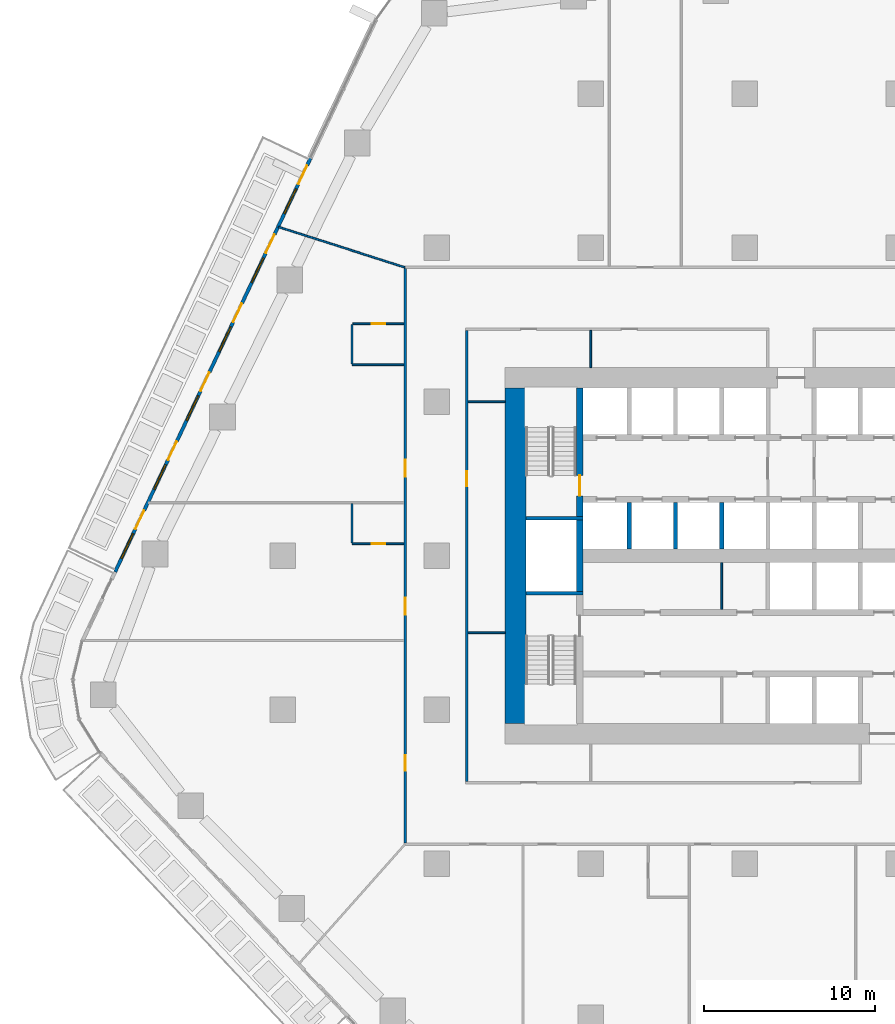
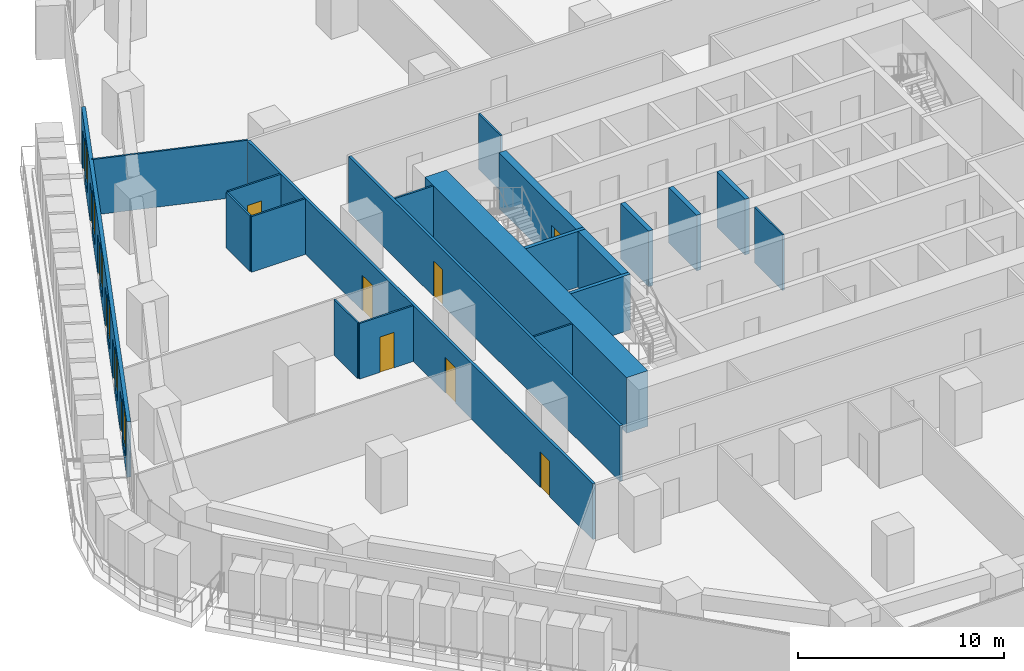
# One storey, part 15 of 25: 21 walls, 13 doors, 6 windows, 19 openings.
"""IFC4 building model written with IfcOpenShell, lengths in metres."""

from ifc_helpers import new_model, si_unit, direction, frame, frame_2d, origin, place, context, subcontext, project, spatial, rectangle, extrude, material, layer, layer_set, type_object, element, fill, save


model = new_model("IFC4")

# Units and contexts
model_context = context("Model", 3, precision=1e-05, world=origin(), true_north=direction((0.0, 1.0)))
body_context = subcontext(model_context, "Body", "Model", "MODEL_VIEW")
ifc_project = project(units=[si_unit("LENGTHUNIT", "METRE"), si_unit("AREAUNIT", "SQUARE_METRE"), si_unit("VOLUMEUNIT", "CUBIC_METRE"), si_unit("PLANEANGLEUNIT", "RADIAN"), si_unit("MASSUNIT", "GRAM", prefix="KILO")], contexts=[model_context])

# Site, building, storey
site_placement = place(None, origin())
site = spatial("IfcSite", under=ifc_project, at=site_placement, CompositionType="ELEMENT")
building_placement = place(site_placement, origin())
building = spatial("IfcBuilding", under=site, at=building_placement, Name="Dongbaek Canopy Tower", CompositionType="ELEMENT")
storey_placement = place(building_placement, frame((0.0, 0.0, 77.300048828125)))
storey = spatial("IfcBuildingStorey", under=building, at=storey_placement, Name="L15", CompositionType="ELEMENT", Elevation=77.300048828125)

# Wall
ifc_material_1 = material(Name="Concrete C60/75", Category="concrete")
ifc_layer_1 = layer(ifc_material_1, 1.199951171875)
ifc_layer_set_1 = layer_set([ifc_layer_1], Name="Core outer wall 1200 Concrete C60/75")
wall_type_1 = type_object("IfcWallType", Name="Core outer wall 1200 Concrete C60/75", PredefinedType="SHEAR", material=ifc_layer_set_1)
wall_1_placement = place(storey_placement, frame((-13.39990234375, -9.800048828125, 0.0), z_axis=(0.0, 0.0, 1.0), x_axis=(0.0, 1.0, 0.0)))
element("IfcWall", 1, at=wall_1_placement, inside=storey, type_object=wall_type_1, Name="Core wall", PredefinedType="SHEAR", context=body_context, shape_type="SweptSolid", body=[
    extrude(rectangle(XDim=19.60009765625, YDim=1.199951171875, at=frame_2d((9.800048828125, 0.0))), origin(), (0.0, 0.0, 1.0), 3.300048828125),
])

# Wall, opening, door
ifc_material_2 = material(Name="Gypsum board partition, steel stud, 2 x 15 mm fire board", Category="steel")
ifc_layer_2 = layer(ifc_material_2, 0.14990234375)
ifc_layer_set_2 = layer_set([ifc_layer_2], Name="Fire-rated partition 150 gypsum board")
wall_type_2 = type_object("IfcWallType", Name="Fire-rated partition 150 gypsum board", PredefinedType="PARTITIONING", material=ifc_layer_set_2)
wall_2_placement = place(storey_placement, frame((-16.25, 13.175048828125, 0.0), z_axis=(0.0, 0.0, 1.0), x_axis=(0.0, -1.0, 0.0)))
wall_2 = element("IfcWall", 2, at=wall_2_placement, inside=storey, type_object=wall_type_2, Name="Corridor partition", PredefinedType="PARTITIONING", context=body_context, shape_type="SweptSolid", body=[
    extrude(rectangle(XDim=26.35009765625, YDim=0.14990234375, at=frame_2d((13.175048828125, 0.0))), origin(), (0.0, 0.0, 1.0), 3.300048828125),
])
opening_1_placement = place(wall_2_placement, frame((8.22509765625, 0.0, 0.0)))
opening_1 = element("IfcOpeningElement", 3, at=opening_1_placement, cuts=wall_2, Name="Opening L15-D021", PredefinedType="OPENING", context=body_context, shape_type="SweptSolid", body=[
    extrude(rectangle(XDim=0.89990234375, YDim=2.10009765625, at=frame_2d((0.449951171875, 1.050048828125))), frame((0.0, 0.0849609375, 0.0), z_axis=(0.0, -1.0, 0.0), x_axis=(1.0, 0.0, 0.0)), (0.0, 0.0, 1.0), 0.169921875),
])
ifc_material_3 = material(Name="Timber veneered door leaf", Category="wood")
door_type_1 = type_object("IfcDoorType", Name="Room door 900 x 2100", OperationType="SINGLE_SWING_LEFT", PredefinedType="DOOR", material=ifc_material_3)
door_1_placement = place(opening_1_placement, origin())
door_1 = element("IfcDoor", 4, at=door_1_placement, inside=storey, type_object=door_type_1, Name="Door L15-D021", OperationType="SINGLE_SWING_LEFT", OverallHeight=2.10009765625, OverallWidth=0.89990234375, PredefinedType="DOOR", context=body_context, shape_type="SweptSolid", body=[
    extrude(rectangle(XDim=0.89990234375, YDim=2.10009765625, at=frame_2d((0.449951171875, 1.050048828125))), frame((0.0, 0.02490234375, 0.0), z_axis=(0.0, -1.0, 0.0), x_axis=(1.0, 0.0, 0.0)), (0.0, 0.0, 1.0), 0.050048828125),
])
fill(opening_1, door_1)

# Wall, openings, doors
wall_3_placement = place(storey_placement, frame((-19.85009765625, -16.77490234375, 0.0), z_axis=(0.0, 0.0, 1.0), x_axis=(0.0, 1.0, 0.0)))
wall_3 = element("IfcWall", 5, at=wall_3_placement, inside=storey, type_object=wall_type_2, Name="Corridor partition", PredefinedType="PARTITIONING", context=body_context, shape_type="SweptSolid", body=[
    extrude(rectangle(XDim=33.5498046875, YDim=0.14990234375, at=frame_2d((16.77490234375, 0.0))), origin(), (0.0, 0.0, 1.0), 3.300048828125),
])
opening_2_placement = place(wall_3_placement, frame((13.33154296875, 0.0, 0.0)))
opening_2 = element("IfcOpeningElement", 6, at=opening_2_placement, cuts=wall_3, Name="Opening L15-D002", PredefinedType="OPENING", context=body_context, shape_type="SweptSolid", body=[
    extrude(rectangle(XDim=1.0, YDim=2.10009765625, at=frame_2d((0.5, 1.050048828125))), frame((0.0, 0.0849609375, 0.0), z_axis=(0.0, -1.0, 0.0), x_axis=(1.0, 0.0, 0.0)), (0.0, 0.0, 1.0), 0.169921875),
])
opening_3_placement = place(wall_3_placement, frame((4.20654296875, 0.0, 0.0)))
opening_3 = element("IfcOpeningElement", 7, at=opening_3_placement, cuts=wall_3, Name="Opening L15-D003", PredefinedType="OPENING", context=body_context, shape_type="SweptSolid", body=[
    extrude(rectangle(XDim=0.89990234375, YDim=2.10009765625, at=frame_2d((0.449951171875, 1.050048828125))), frame((0.0, 0.0849609375, 0.0), z_axis=(0.0, -1.0, 0.0), x_axis=(1.0, 0.0, 0.0)), (0.0, 0.0, 1.0), 0.169921875),
])
opening_4_placement = place(wall_3_placement, frame((21.388916015625, 0.0, 0.0)))
opening_4 = element("IfcOpeningElement", 8, at=opening_4_placement, cuts=wall_3, Name="Opening L15-D013", PredefinedType="OPENING", context=body_context, shape_type="SweptSolid", body=[
    extrude(rectangle(XDim=1.0, YDim=2.10009765625, at=frame_2d((0.5, 1.050048828125))), frame((0.0, 0.0849609375, 0.0), z_axis=(0.0, -1.0, 0.0), x_axis=(1.0, 0.0, 0.0)), (0.0, 0.0, 1.0), 0.169921875),
])
ifc_material_4 = material(Name="Timber veneered door leaf", Category="wood")
door_type_2 = type_object("IfcDoorType", Name="Guest room door 1000 x 2100", OperationType="SINGLE_SWING_LEFT", PredefinedType="DOOR", material=ifc_material_4)
door_2_placement = place(opening_2_placement, origin())
door_2 = element("IfcDoor", 9, at=door_2_placement, inside=storey, type_object=door_type_2, Name="Door L15-D002", OperationType="SINGLE_SWING_RIGHT", OverallHeight=2.10009765625, OverallWidth=1.0, PredefinedType="DOOR", context=body_context, shape_type="SweptSolid", body=[
    extrude(rectangle(XDim=1.0, YDim=2.10009765625, at=frame_2d((0.5, 1.050048828125))), frame((0.0, 0.02490234375, 0.0), z_axis=(0.0, -1.0, 0.0), x_axis=(1.0, 0.0, 0.0)), (0.0, 0.0, 1.0), 0.050048828125),
])
fill(opening_2, door_2)
door_3_placement = place(opening_4_placement, origin())
door_3 = element("IfcDoor", 10, at=door_3_placement, inside=storey, type_object=door_type_2, Name="Door L15-D013", OperationType="SINGLE_SWING_LEFT", OverallHeight=2.10009765625, OverallWidth=1.0, PredefinedType="DOOR", context=body_context, shape_type="SweptSolid", body=[
    extrude(rectangle(XDim=1.0, YDim=2.10009765625, at=frame_2d((0.5, 1.050048828125))), frame((0.0, 0.02490234375, 0.0), z_axis=(0.0, -1.0, 0.0), x_axis=(1.0, 0.0, 0.0)), (0.0, 0.0, 1.0), 0.050048828125),
])
fill(opening_4, door_3)
door_4_placement = place(opening_3_placement, origin())
door_4 = element("IfcDoor", 11, at=door_4_placement, inside=storey, type_object=door_type_1, Name="Door L15-D003", OperationType="SINGLE_SWING_LEFT", OverallHeight=2.10009765625, OverallWidth=0.89990234375, PredefinedType="DOOR", context=body_context, shape_type="SweptSolid", body=[
    extrude(rectangle(XDim=0.89990234375, YDim=2.10009765625, at=frame_2d((0.449951171875, 1.050048828125))), frame((0.0, 0.02490234375, 0.0), z_axis=(0.0, -1.0, 0.0), x_axis=(1.0, 0.0, 0.0)), (0.0, 0.0, 1.0), 0.050048828125),
])
fill(opening_3, door_4)

# Walls
ifc_material_5 = material(Name="Concrete C40/50", Category="concrete")
ifc_layer_3 = layer(ifc_material_5, 0.25)
ifc_layer_set_3 = layer_set([ifc_layer_3], Name="Lift shaft wall 250 Concrete C40/50")
wall_type_3 = type_object("IfcWallType", Name="Lift shaft wall 250 Concrete C40/50", PredefinedType="SOLIDWALL", material=ifc_layer_set_3)
for number, where, z_axis, x_axis, name in (
    (12, (-1.35009765625, 0.39990234375, 0.0), (0.0, 0.0, 1.0), (0.0, 1.0, 0.0), "Lift shaft wall"),
    (13, (-4.050048828125, 0.39990234375, 0.0), (0.0, 0.0, 1.0), (0.0, 1.0, 0.0), "Lift shaft wall"),
    (14, (-6.75, 0.39990234375, 0.0), (0.0, 0.0, 1.0), (0.0, 1.0, 0.0), "Lift shaft wall"),
):
    element("IfcWall", number, at=place(storey_placement, frame(where, z_axis=z_axis, x_axis=x_axis)), inside=storey, type_object=wall_type_3, Name=name, PredefinedType="SOLIDWALL", context=body_context, shape_type="SweptSolid", body=[
        extrude(rectangle(XDim=2.72509765625, YDim=0.25, at=frame_2d((1.362548828125, 0.0))), origin(), (0.0, 0.0, 1.0), 3.300048828125),
    ])
ifc_material_6 = material(Name="Gypsum board partition, steel stud, 2 x 12.5 mm board", Category="steel")
ifc_layer_4 = layer(ifc_material_6, 0.10009765625)
ifc_layer_set_4 = layer_set([ifc_layer_4], Name="Partition 100 gypsum board")
wall_type_4 = type_object("IfcWallType", Name="Partition 100 gypsum board", PredefinedType="PARTITIONING", material=ifc_layer_set_4)
wall_4_placement = place(storey_placement, frame((-16.175048828125, -4.5, 0.0), z_axis=(0.0, 0.0, 1.0), x_axis=(1.0, 0.0, 0.0)))
element("IfcWall", 15, at=wall_4_placement, inside=storey, type_object=wall_type_4, Name="Partition", PredefinedType="PARTITIONING", context=body_context, shape_type="SweptSolid", body=[
    extrude(rectangle(XDim=2.175048828125, YDim=0.10009765625, at=frame_2d((1.08740234375, 0.0))), origin(), (0.0, 0.0, 1.0), 3.300048828125),
])

# Wall, opening, door
wall_5_placement = place(storey_placement, frame((-22.949951171875, 0.697998046875, 0.0), z_axis=(0.0, 0.0, 1.0), x_axis=(1.0, 0.0, 0.0)))
wall_5 = element("IfcWall", 16, at=wall_5_placement, inside=storey, type_object=wall_type_4, Name="Partition", PredefinedType="PARTITIONING", context=body_context, shape_type="SweptSolid", body=[
    extrude(rectangle(XDim=3.02490234375, YDim=0.10009765625, at=frame_2d((1.512451171875, 0.0))), origin(), (0.0, 0.0, 1.0), 3.300048828125),
])
opening_5_placement = place(wall_5_placement, frame((1.14990234375, 0.0, 0.0)))
opening_5 = element("IfcOpeningElement", 17, at=opening_5_placement, cuts=wall_5, Name="Opening L15-D001", PredefinedType="OPENING", context=body_context, shape_type="SweptSolid", body=[
    extrude(rectangle(XDim=0.800048828125, YDim=2.10009765625, at=frame_2d((0.39990234375, 1.050048828125))), frame((0.0, 0.06005859375, 0.0), z_axis=(0.0, -1.0, 0.0), x_axis=(1.0, 0.0, 0.0)), (0.0, 0.0, 1.0), 0.1201171875),
])
ifc_material_7 = material(Name="Timber veneered door leaf", Category="wood")
door_type_3 = type_object("IfcDoorType", Name="En-suite door 800 x 2100", OperationType="SINGLE_SWING_LEFT", PredefinedType="DOOR", material=ifc_material_7)
door_5_placement = place(opening_5_placement, origin())
door_5 = element("IfcDoor", 18, at=door_5_placement, inside=storey, type_object=door_type_3, Name="Door L15-D001", OperationType="SINGLE_SWING_LEFT", OverallHeight=2.10009765625, OverallWidth=0.800048828125, PredefinedType="DOOR", context=body_context, shape_type="SweptSolid", body=[
    extrude(rectangle(XDim=0.800048828125, YDim=2.10009765625, at=frame_2d((0.39990234375, 1.050048828125))), frame((0.0, 0.02490234375, 0.0), z_axis=(0.0, -1.0, 0.0), x_axis=(1.0, 0.0, 0.0)), (0.0, 0.0, 1.0), 0.050048828125),
])
fill(opening_5, door_5)

# Walls
wall_6_placement = place(storey_placement, frame((-16.175048828125, 9.0, 0.0), z_axis=(0.0, 0.0, 1.0), x_axis=(1.0, 0.0, 0.0)))
element("IfcWall", 19, at=wall_6_placement, inside=storey, type_object=wall_type_4, Name="Partition", PredefinedType="PARTITIONING", context=body_context, shape_type="SweptSolid", body=[
    extrude(rectangle(XDim=2.175048828125, YDim=0.10009765625, at=frame_2d((1.08740234375, 0.0))), origin(), (0.0, 0.0, 1.0), 3.300048828125),
])
wall_7_placement = place(storey_placement, frame((-22.949951171875, 11.159912109375, 0.0), z_axis=(0.0, 0.0, 1.0), x_axis=(1.0, 0.0, 0.0)))
element("IfcWall", 20, at=wall_7_placement, inside=storey, type_object=wall_type_4, Name="Partition", PredefinedType="PARTITIONING", context=body_context, shape_type="SweptSolid", body=[
    extrude(rectangle(XDim=3.02490234375, YDim=0.10009765625, at=frame_2d((1.512451171875, 0.0))), origin(), (0.0, 0.0, 1.0), 3.300048828125),
])

# Wall, opening, door
wall_8_placement = place(storey_placement, frame((-19.925048828125, 13.56005859375, 0.0), z_axis=(0.0, 0.0, 1.0), x_axis=(-1.0, 0.0, 0.0)))
wall_8 = element("IfcWall", 21, at=wall_8_placement, inside=storey, type_object=wall_type_4, Name="Partition", PredefinedType="PARTITIONING", context=body_context, shape_type="SweptSolid", body=[
    extrude(rectangle(XDim=2.974853515625, YDim=0.10009765625, at=frame_2d((1.4873046875, 0.0))), origin(), (0.0, 0.0, 1.0), 3.300048828125),
])
opening_6_placement = place(wall_8_placement, frame((1.074951171875, 0.0, 0.0)))
opening_6 = element("IfcOpeningElement", 22, at=opening_6_placement, cuts=wall_8, Name="Opening L15-D012", PredefinedType="OPENING", context=body_context, shape_type="SweptSolid", body=[
    extrude(rectangle(XDim=0.800048828125, YDim=2.10009765625, at=frame_2d((0.39990234375, 1.050048828125))), frame((0.0, 0.06005859375, 0.0), z_axis=(0.0, -1.0, 0.0), x_axis=(1.0, 0.0, 0.0)), (0.0, 0.0, 1.0), 0.1201171875),
])
door_6_placement = place(opening_6_placement, origin())
door_6 = element("IfcDoor", 23, at=door_6_placement, inside=storey, type_object=door_type_3, Name="Door L15-D012", OperationType="SINGLE_SWING_RIGHT", OverallHeight=2.10009765625, OverallWidth=0.800048828125, PredefinedType="DOOR", context=body_context, shape_type="SweptSolid", body=[
    extrude(rectangle(XDim=0.800048828125, YDim=2.10009765625, at=frame_2d((0.39990234375, 1.050048828125))), frame((0.0, 0.02490234375, 0.0), z_axis=(0.0, -1.0, 0.0), x_axis=(1.0, 0.0, 0.0)), (0.0, 0.0, 1.0), 0.050048828125),
])
fill(opening_6, door_6)

# Walls
wall_9_placement = place(storey_placement, frame((-9.0, 11.0, 0.0), z_axis=(0.0, 0.0, 1.0), x_axis=(0.0, 1.0, 0.0)))
element("IfcWall", 24, at=wall_9_placement, inside=storey, type_object=wall_type_4, Name="Partition", PredefinedType="PARTITIONING", context=body_context, shape_type="SweptSolid", body=[
    extrude(rectangle(XDim=2.175048828125, YDim=0.10009765625, at=frame_2d((1.08740234375, 0.0))), origin(), (0.0, 0.0, 1.0), 3.300048828125),
])
wall_10_placement = place(storey_placement, frame((-22.949951171875, 0.748291015625, 0.0), z_axis=(0.0, 0.0, 1.0), x_axis=(0.0, 1.0, 0.0)))
element("IfcWall", 25, at=wall_10_placement, inside=storey, type_object=wall_type_4, Name="Partition", PredefinedType="PARTITIONING", context=body_context, shape_type="SweptSolid", body=[
    extrude(rectangle(XDim=2.2998046875, YDim=0.10009765625, at=frame_2d((1.14990234375, 0.0))), origin(), (0.0, 0.0, 1.0), 3.300048828125),
])
wall_11_placement = place(storey_placement, frame((-22.949951171875, 11.210205078125, 0.0), z_axis=(0.0, 0.0, 1.0), x_axis=(0.0, 1.0, 0.0)))
element("IfcWall", 26, at=wall_11_placement, inside=storey, type_object=wall_type_4, Name="Partition", PredefinedType="PARTITIONING", context=body_context, shape_type="SweptSolid", body=[
    extrude(rectangle(XDim=2.300048828125, YDim=0.10009765625, at=frame_2d((1.14990234375, 0.0))), origin(), (0.0, 0.0, 1.0), 3.300048828125),
])
wall_12_placement = place(storey_placement, frame((-27.25341796875, 19.2158203125, 0.0), z_axis=(0.0, 0.0, 1.0), x_axis=(0.952548805098, -0.304385896366, 0.0)))
element("IfcWall", 27, at=wall_12_placement, inside=storey, type_object=wall_type_4, Name="Partition", PredefinedType="PARTITIONING", context=body_context, shape_type="SweptSolid", body=[
    extrude(rectangle(XDim=7.772216796875, YDim=0.10009765625, at=frame_2d((3.88623046875, 0.0))), origin(), (0.0, 0.0, 1.0), 3.300048828125),
])
wall_13_placement = place(storey_placement, frame((-1.35009765625, -3.125, 0.0), z_axis=(0.0, 0.0, 1.0), x_axis=(0.0, 1.0, 0.0)))
element("IfcWall", 28, at=wall_13_placement, inside=storey, type_object=wall_type_4, Name="Core partition", PredefinedType="PARTITIONING", context=body_context, shape_type="SweptSolid", body=[
    extrude(rectangle(XDim=2.72509765625, YDim=0.10009765625, at=frame_2d((1.362548828125, 0.0))), origin(), (0.0, 0.0, 1.0), 3.300048828125),
])
ifc_material_8 = material(Name="Concrete C60/75", Category="concrete")
ifc_layer_5 = layer(ifc_material_8, 0.199951171875)
ifc_layer_set_5 = layer_set([ifc_layer_5], Name="Riser wall 200 Concrete C60/75")
wall_type_5 = type_object("IfcWallType", Name="Riser wall 200 Concrete C60/75", PredefinedType="SHEAR", material=ifc_layer_set_5)
for number, where, z_axis, x_axis, name in (
    (29, (-9.449951171875, 2.199951171875, 0.0), (0.0, 0.0, 1.0), (-1.0, 0.0, 0.0), "Riser wall"),
    (30, (-9.449951171875, -2.199951171875, 0.0), (0.0, 0.0, 1.0), (-1.0, 0.0, 0.0), "Riser wall"),
):
    element("IfcWall", number, at=place(storey_placement, frame(where, z_axis=z_axis, x_axis=x_axis)), inside=storey, type_object=wall_type_5, Name=name, PredefinedType="SHEAR", context=body_context, shape_type="SweptSolid", body=[
        extrude(rectangle(XDim=3.35009765625, YDim=0.199951171875, at=frame_2d((1.675048828125, 0.0))), origin(), (0.0, 0.0, 1.0), 3.300048828125),
    ])
ifc_material_9 = material(Name="Concrete C60/75", Category="concrete")
ifc_layer_6 = layer(ifc_material_9, 0.39990234375)
ifc_layer_set_6 = layer_set([ifc_layer_6], Name="Stair wall 400 Concrete C60/75")
wall_type_6 = type_object("IfcWallType", Name="Stair wall 400 Concrete C60/75", PredefinedType="SHEAR", material=ifc_layer_set_6)
wall_14_placement = place(storey_placement, frame((-9.64990234375, -2.10009765625, 0.0), z_axis=(0.0, 0.0, 1.0), x_axis=(0.0, 1.0, 0.0)))
element("IfcWall", 31, at=wall_14_placement, inside=storey, type_object=wall_type_6, Name="Stair wall", PredefinedType="SHEAR", context=body_context, shape_type="SweptSolid", body=[
    extrude(rectangle(XDim=4.2001953125, YDim=0.39990234375, at=frame_2d((2.10009765625, 0.0))), origin(), (0.0, 0.0, 1.0), 3.300048828125),
])

# Wall, opening, door
wall_15_placement = place(storey_placement, frame((-9.64990234375, 2.300048828125, 0.0), z_axis=(0.0, 0.0, 1.0), x_axis=(0.0, 1.0, 0.0)))
wall_15 = element("IfcWall", 32, at=wall_15_placement, inside=storey, type_object=wall_type_6, Name="Stair wall", PredefinedType="SHEAR", context=body_context, shape_type="SweptSolid", body=[
    extrude(rectangle(XDim=7.5, YDim=0.39990234375, at=frame_2d((3.75, 0.0))), origin(), (0.0, 0.0, 1.0), 3.300048828125),
])
opening_7_placement = place(wall_15_placement, frame((1.199951171875, 0.0, 0.0)))
opening_7 = element("IfcOpeningElement", 33, at=opening_7_placement, cuts=wall_15, Name="Opening L15-D046", PredefinedType="OPENING", context=body_context, shape_type="SweptSolid", body=[
    extrude(rectangle(XDim=1.199951171875, YDim=2.10009765625, at=frame_2d((0.60009765625, 1.050048828125))), frame((0.0, 0.2099609375, 0.0), z_axis=(0.0, -1.0, 0.0), x_axis=(1.0, 0.0, 0.0)), (0.0, 0.0, 1.0), 0.419921875),
])
ifc_material_10 = material(Name="Steel", Category="steel")
door_type_4 = type_object("IfcDoorType", Name="Stair door 1200 x 2100", OperationType="SINGLE_SWING_LEFT", PredefinedType="DOOR", material=ifc_material_10)
door_7_placement = place(opening_7_placement, origin())
door_7 = element("IfcDoor", 34, at=door_7_placement, inside=storey, type_object=door_type_4, Name="Stair C door", OperationType="SINGLE_SWING_RIGHT", OverallHeight=2.10009765625, OverallWidth=1.199951171875, PredefinedType="DOOR", context=body_context, shape_type="SweptSolid", body=[
    extrude(rectangle(XDim=1.199951171875, YDim=2.10009765625, at=frame_2d((0.60009765625, 1.050048828125))), frame((0.0, 0.02490234375, 0.0), z_axis=(0.0, -1.0, 0.0), x_axis=(1.0, 0.0, 0.0)), (0.0, 0.0, 1.0), 0.050048828125),
])
fill(opening_7, door_7)

# Wall, openings, doors, windows
ifc_material_11 = material(Name="Aluminium window wall", Category="aluminium")
ifc_layer_7 = layer(ifc_material_11, 0.199951171875)
ifc_layer_set_7 = layer_set([ifc_layer_7], Name="Window wall 200")
wall_type_7 = type_object("IfcWallType", Name="Window wall 200", PredefinedType="SOLIDWALL", material=ifc_layer_set_7)
wall_16_placement = place(storey_placement, frame((-25.3681640625, 23.253173828125, 0.0), z_axis=(0.0, 0.0, 1.0), x_axis=(-0.427150376431, -0.90418059917, 0.0)))
wall_16 = element("IfcWall", 35, at=wall_16_placement, inside=storey, type_object=wall_type_7, Name="Window wall L15 2", PredefinedType="SOLIDWALL", context=body_context, shape_type="SweptSolid", body=[
    extrude(rectangle(XDim=26.748779296875, YDim=0.199951171875, at=frame_2d((13.37451171875, 0.0))), origin(), (0.0, 0.0, 1.0), 3.300048828125),
])
opening_8_placement = place(wall_16_placement, frame((2.0, 0.0, 0.60009765625)))
opening_8 = element("IfcOpeningElement", 36, at=opening_8_placement, cuts=wall_16, Name="Opening W1", PredefinedType="OPENING", context=body_context, shape_type="SweptSolid", body=[
    extrude(rectangle(XDim=1.60009765625, YDim=2.39990234375, at=frame_2d((0.800048828125, 1.199951171875))), frame((0.0, 0.10986328125, 0.0), z_axis=(0.0, -1.0, 0.0), x_axis=(1.0, 0.0, 0.0)), (0.0, 0.0, 1.0), 0.219970703125),
])
opening_9_placement = place(wall_16_placement, frame((0.5, 0.0, 0.0)))
opening_9 = element("IfcOpeningElement", 37, at=opening_9_placement, cuts=wall_16, Name="Opening L15-B06", PredefinedType="OPENING", context=body_context, shape_type="SweptSolid", body=[
    extrude(rectangle(XDim=1.199951171875, YDim=2.39990234375, at=frame_2d((0.60009765625, 1.199951171875))), frame((0.0, 0.10986328125, 0.0), z_axis=(0.0, -1.0, 0.0), x_axis=(1.0, 0.0, 0.0)), (0.0, 0.0, 1.0), 0.219970703125),
])
opening_10_placement = place(wall_16_placement, frame((6.4580078125, 0.0, 0.60009765625)))
opening_10 = element("IfcOpeningElement", 38, at=opening_10_placement, cuts=wall_16, Name="Opening W1", PredefinedType="OPENING", context=body_context, shape_type="SweptSolid", body=[
    extrude(rectangle(XDim=1.60009765625, YDim=2.39990234375, at=frame_2d((0.800048828125, 1.199951171875))), frame((0.0, 0.10986328125, 0.0), z_axis=(0.0, -1.0, 0.0), x_axis=(1.0, 0.0, 0.0)), (0.0, 0.0, 1.0), 0.219970703125),
])
opening_11_placement = place(wall_16_placement, frame((4.9580078125, 0.0, 0.0)))
opening_11 = element("IfcOpeningElement", 39, at=opening_11_placement, cuts=wall_16, Name="Opening L15-B07", PredefinedType="OPENING", context=body_context, shape_type="SweptSolid", body=[
    extrude(rectangle(XDim=1.199951171875, YDim=2.39990234375, at=frame_2d((0.60009765625, 1.199951171875))), frame((0.0, 0.10986328125, 0.0), z_axis=(0.0, -1.0, 0.0), x_axis=(1.0, 0.0, 0.0)), (0.0, 0.0, 1.0), 0.219970703125),
])
opening_12_placement = place(wall_16_placement, frame((10.916259765625, 0.0, 0.60009765625)))
opening_12 = element("IfcOpeningElement", 40, at=opening_12_placement, cuts=wall_16, Name="Opening W1", PredefinedType="OPENING", context=body_context, shape_type="SweptSolid", body=[
    extrude(rectangle(XDim=1.60009765625, YDim=2.39990234375, at=frame_2d((0.800048828125, 1.199951171875))), frame((0.0, 0.10986328125, 0.0), z_axis=(0.0, -1.0, 0.0), x_axis=(1.0, 0.0, 0.0)), (0.0, 0.0, 1.0), 0.219970703125),
])
opening_13_placement = place(wall_16_placement, frame((9.416259765625, 0.0, 0.0)))
opening_13 = element("IfcOpeningElement", 41, at=opening_13_placement, cuts=wall_16, Name="Opening L15-B08", PredefinedType="OPENING", context=body_context, shape_type="SweptSolid", body=[
    extrude(rectangle(XDim=1.199951171875, YDim=2.39990234375, at=frame_2d((0.60009765625, 1.199951171875))), frame((0.0, 0.10986328125, 0.0), z_axis=(0.0, -1.0, 0.0), x_axis=(1.0, 0.0, 0.0)), (0.0, 0.0, 1.0), 0.219970703125),
])
opening_14_placement = place(wall_16_placement, frame((15.374267578125, 0.0, 0.60009765625)))
opening_14 = element("IfcOpeningElement", 42, at=opening_14_placement, cuts=wall_16, Name="Opening W1", PredefinedType="OPENING", context=body_context, shape_type="SweptSolid", body=[
    extrude(rectangle(XDim=1.60009765625, YDim=2.39990234375, at=frame_2d((0.800048828125, 1.199951171875))), frame((0.0, 0.10986328125, 0.0), z_axis=(0.0, -1.0, 0.0), x_axis=(1.0, 0.0, 0.0)), (0.0, 0.0, 1.0), 0.219970703125),
])
opening_15_placement = place(wall_16_placement, frame((13.874267578125, 0.0, 0.0)))
opening_15 = element("IfcOpeningElement", 43, at=opening_15_placement, cuts=wall_16, Name="Opening L15-B09", PredefinedType="OPENING", context=body_context, shape_type="SweptSolid", body=[
    extrude(rectangle(XDim=1.199951171875, YDim=2.39990234375, at=frame_2d((0.60009765625, 1.199951171875))), frame((0.0, 0.10986328125, 0.0), z_axis=(0.0, -1.0, 0.0), x_axis=(1.0, 0.0, 0.0)), (0.0, 0.0, 1.0), 0.219970703125),
])
opening_16_placement = place(wall_16_placement, frame((19.83251953125, 0.0, 0.60009765625)))
opening_16 = element("IfcOpeningElement", 44, at=opening_16_placement, cuts=wall_16, Name="Opening W1", PredefinedType="OPENING", context=body_context, shape_type="SweptSolid", body=[
    extrude(rectangle(XDim=1.60009765625, YDim=2.39990234375, at=frame_2d((0.800048828125, 1.199951171875))), frame((0.0, 0.10986328125, 0.0), z_axis=(0.0, -1.0, 0.0), x_axis=(1.0, 0.0, 0.0)), (0.0, 0.0, 1.0), 0.219970703125),
])
opening_17_placement = place(wall_16_placement, frame((18.33251953125, 0.0, 0.0)))
opening_17 = element("IfcOpeningElement", 45, at=opening_17_placement, cuts=wall_16, Name="Opening L15-B10", PredefinedType="OPENING", context=body_context, shape_type="SweptSolid", body=[
    extrude(rectangle(XDim=1.199951171875, YDim=2.39990234375, at=frame_2d((0.60009765625, 1.199951171875))), frame((0.0, 0.10986328125, 0.0), z_axis=(0.0, -1.0, 0.0), x_axis=(1.0, 0.0, 0.0)), (0.0, 0.0, 1.0), 0.219970703125),
])
opening_18_placement = place(wall_16_placement, frame((24.29052734375, 0.0, 0.60009765625)))
opening_18 = element("IfcOpeningElement", 46, at=opening_18_placement, cuts=wall_16, Name="Opening W1", PredefinedType="OPENING", context=body_context, shape_type="SweptSolid", body=[
    extrude(rectangle(XDim=1.60009765625, YDim=2.39990234375, at=frame_2d((0.800048828125, 1.199951171875))), frame((0.0, 0.10986328125, 0.0), z_axis=(0.0, -1.0, 0.0), x_axis=(1.0, 0.0, 0.0)), (0.0, 0.0, 1.0), 0.219970703125),
])
opening_19_placement = place(wall_16_placement, frame((22.79052734375, 0.0, 0.0)))
opening_19 = element("IfcOpeningElement", 47, at=opening_19_placement, cuts=wall_16, Name="Opening L15-B11", PredefinedType="OPENING", context=body_context, shape_type="SweptSolid", body=[
    extrude(rectangle(XDim=1.199951171875, YDim=2.39990234375, at=frame_2d((0.60009765625, 1.199951171875))), frame((0.0, 0.10986328125, 0.0), z_axis=(0.0, -1.0, 0.0), x_axis=(1.0, 0.0, 0.0)), (0.0, 0.0, 1.0), 0.219970703125),
])
ifc_material_12 = material(Name="Clear glazing in aluminium frame", Category="aluminium")
door_type_5 = type_object("IfcDoorType", Name="Balcony door BD1 1200 x 2400", OperationType="SLIDING_TO_LEFT", PredefinedType="DOOR", material=ifc_material_12)
door_8_placement = place(opening_9_placement, origin())
door_8 = element("IfcDoor", 48, at=door_8_placement, inside=storey, type_object=door_type_5, Name="Balcony door L15-B06", OperationType="SLIDING_TO_LEFT", OverallHeight=2.39990234375, OverallWidth=1.199951171875, PredefinedType="DOOR", context=body_context, shape_type="SweptSolid", body=[
    extrude(rectangle(XDim=1.199951171875, YDim=2.39990234375, at=frame_2d((0.60009765625, 1.199951171875))), frame((0.0, 0.02490234375, 0.0), z_axis=(0.0, -1.0, 0.0), x_axis=(1.0, 0.0, 0.0)), (0.0, 0.0, 1.0), 0.050048828125),
])
fill(opening_9, door_8)
door_9_placement = place(opening_11_placement, origin())
door_9 = element("IfcDoor", 49, at=door_9_placement, inside=storey, type_object=door_type_5, Name="Balcony door L15-B07", OperationType="SLIDING_TO_LEFT", OverallHeight=2.39990234375, OverallWidth=1.199951171875, PredefinedType="DOOR", context=body_context, shape_type="SweptSolid", body=[
    extrude(rectangle(XDim=1.199951171875, YDim=2.39990234375, at=frame_2d((0.60009765625, 1.199951171875))), frame((0.0, 0.02490234375, 0.0), z_axis=(0.0, -1.0, 0.0), x_axis=(1.0, 0.0, 0.0)), (0.0, 0.0, 1.0), 0.050048828125),
])
fill(opening_11, door_9)
door_10_placement = place(opening_13_placement, origin())
door_10 = element("IfcDoor", 50, at=door_10_placement, inside=storey, type_object=door_type_5, Name="Balcony door L15-B08", OperationType="SLIDING_TO_LEFT", OverallHeight=2.39990234375, OverallWidth=1.199951171875, PredefinedType="DOOR", context=body_context, shape_type="SweptSolid", body=[
    extrude(rectangle(XDim=1.199951171875, YDim=2.39990234375, at=frame_2d((0.60009765625, 1.199951171875))), frame((0.0, 0.02490234375, 0.0), z_axis=(0.0, -1.0, 0.0), x_axis=(1.0, 0.0, 0.0)), (0.0, 0.0, 1.0), 0.050048828125),
])
fill(opening_13, door_10)
door_11_placement = place(opening_15_placement, origin())
door_11 = element("IfcDoor", 51, at=door_11_placement, inside=storey, type_object=door_type_5, Name="Balcony door L15-B09", OperationType="SLIDING_TO_LEFT", OverallHeight=2.39990234375, OverallWidth=1.199951171875, PredefinedType="DOOR", context=body_context, shape_type="SweptSolid", body=[
    extrude(rectangle(XDim=1.199951171875, YDim=2.39990234375, at=frame_2d((0.60009765625, 1.199951171875))), frame((0.0, 0.02490234375, 0.0), z_axis=(0.0, -1.0, 0.0), x_axis=(1.0, 0.0, 0.0)), (0.0, 0.0, 1.0), 0.050048828125),
])
fill(opening_15, door_11)
door_12_placement = place(opening_17_placement, origin())
door_12 = element("IfcDoor", 52, at=door_12_placement, inside=storey, type_object=door_type_5, Name="Balcony door L15-B10", OperationType="SLIDING_TO_LEFT", OverallHeight=2.39990234375, OverallWidth=1.199951171875, PredefinedType="DOOR", context=body_context, shape_type="SweptSolid", body=[
    extrude(rectangle(XDim=1.199951171875, YDim=2.39990234375, at=frame_2d((0.60009765625, 1.199951171875))), frame((0.0, 0.02490234375, 0.0), z_axis=(0.0, -1.0, 0.0), x_axis=(1.0, 0.0, 0.0)), (0.0, 0.0, 1.0), 0.050048828125),
])
fill(opening_17, door_12)
door_13_placement = place(opening_19_placement, origin())
door_13 = element("IfcDoor", 53, at=door_13_placement, inside=storey, type_object=door_type_5, Name="Balcony door L15-B11", OperationType="SLIDING_TO_LEFT", OverallHeight=2.39990234375, OverallWidth=1.199951171875, PredefinedType="DOOR", context=body_context, shape_type="SweptSolid", body=[
    extrude(rectangle(XDim=1.199951171875, YDim=2.39990234375, at=frame_2d((0.60009765625, 1.199951171875))), frame((0.0, 0.02490234375, 0.0), z_axis=(0.0, -1.0, 0.0), x_axis=(1.0, 0.0, 0.0)), (0.0, 0.0, 1.0), 0.050048828125),
])
fill(opening_19, door_13)
ifc_material_13 = material(Name="Clear glazing in aluminium frame", Category="aluminium")
window_type = type_object("IfcWindowType", Name="Window W1 1600 x 2400", PartitioningType="SINGLE_PANEL", PredefinedType="WINDOW", material=ifc_material_13)
window_1_placement = place(opening_8_placement, origin())
window_1 = element("IfcWindow", 54, at=window_1_placement, inside=storey, type_object=window_type, Name="Window L15 2.1", OverallHeight=2.39990234375, OverallWidth=1.60009765625, PartitioningType="SINGLE_PANEL", PredefinedType="WINDOW", context=body_context, shape_type="SweptSolid", body=[
    extrude(rectangle(XDim=1.60009765625, YDim=2.39990234375, at=frame_2d((0.800048828125, 1.199951171875))), frame((0.0, 0.030029296875, 0.0), z_axis=(0.0, -1.0, 0.0), x_axis=(1.0, 0.0, 0.0)), (0.0, 0.0, 1.0), 0.06005859375),
])
fill(opening_8, window_1)
window_2_placement = place(opening_10_placement, origin())
window_2 = element("IfcWindow", 55, at=window_2_placement, inside=storey, type_object=window_type, Name="Window L15 2.2", OverallHeight=2.39990234375, OverallWidth=1.60009765625, PartitioningType="SINGLE_PANEL", PredefinedType="WINDOW", context=body_context, shape_type="SweptSolid", body=[
    extrude(rectangle(XDim=1.60009765625, YDim=2.39990234375, at=frame_2d((0.800048828125, 1.199951171875))), frame((0.0, 0.030029296875, 0.0), z_axis=(0.0, -1.0, 0.0), x_axis=(1.0, 0.0, 0.0)), (0.0, 0.0, 1.0), 0.06005859375),
])
fill(opening_10, window_2)
window_3_placement = place(opening_12_placement, origin())
window_3 = element("IfcWindow", 56, at=window_3_placement, inside=storey, type_object=window_type, Name="Window L15 2.3", OverallHeight=2.39990234375, OverallWidth=1.60009765625, PartitioningType="SINGLE_PANEL", PredefinedType="WINDOW", context=body_context, shape_type="SweptSolid", body=[
    extrude(rectangle(XDim=1.60009765625, YDim=2.39990234375, at=frame_2d((0.800048828125, 1.199951171875))), frame((0.0, 0.030029296875, 0.0), z_axis=(0.0, -1.0, 0.0), x_axis=(1.0, 0.0, 0.0)), (0.0, 0.0, 1.0), 0.06005859375),
])
fill(opening_12, window_3)
window_4_placement = place(opening_14_placement, origin())
window_4 = element("IfcWindow", 57, at=window_4_placement, inside=storey, type_object=window_type, Name="Window L15 2.4", OverallHeight=2.39990234375, OverallWidth=1.60009765625, PartitioningType="SINGLE_PANEL", PredefinedType="WINDOW", context=body_context, shape_type="SweptSolid", body=[
    extrude(rectangle(XDim=1.60009765625, YDim=2.39990234375, at=frame_2d((0.800048828125, 1.199951171875))), frame((0.0, 0.030029296875, 0.0), z_axis=(0.0, -1.0, 0.0), x_axis=(1.0, 0.0, 0.0)), (0.0, 0.0, 1.0), 0.06005859375),
])
fill(opening_14, window_4)
window_5_placement = place(opening_16_placement, origin())
window_5 = element("IfcWindow", 58, at=window_5_placement, inside=storey, type_object=window_type, Name="Window L15 2.5", OverallHeight=2.39990234375, OverallWidth=1.60009765625, PartitioningType="SINGLE_PANEL", PredefinedType="WINDOW", context=body_context, shape_type="SweptSolid", body=[
    extrude(rectangle(XDim=1.60009765625, YDim=2.39990234375, at=frame_2d((0.800048828125, 1.199951171875))), frame((0.0, 0.030029296875, 0.0), z_axis=(0.0, -1.0, 0.0), x_axis=(1.0, 0.0, 0.0)), (0.0, 0.0, 1.0), 0.06005859375),
])
fill(opening_16, window_5)
window_6_placement = place(opening_18_placement, origin())
window_6 = element("IfcWindow", 59, at=window_6_placement, inside=storey, type_object=window_type, Name="Window L15 2.6", OverallHeight=2.39990234375, OverallWidth=1.60009765625, PartitioningType="SINGLE_PANEL", PredefinedType="WINDOW", context=body_context, shape_type="SweptSolid", body=[
    extrude(rectangle(XDim=1.60009765625, YDim=2.39990234375, at=frame_2d((0.800048828125, 1.199951171875))), frame((0.0, 0.030029296875, 0.0), z_axis=(0.0, -1.0, 0.0), x_axis=(1.0, 0.0, 0.0)), (0.0, 0.0, 1.0), 0.06005859375),
])
fill(opening_18, window_6)

save(model, "model.ifc")
